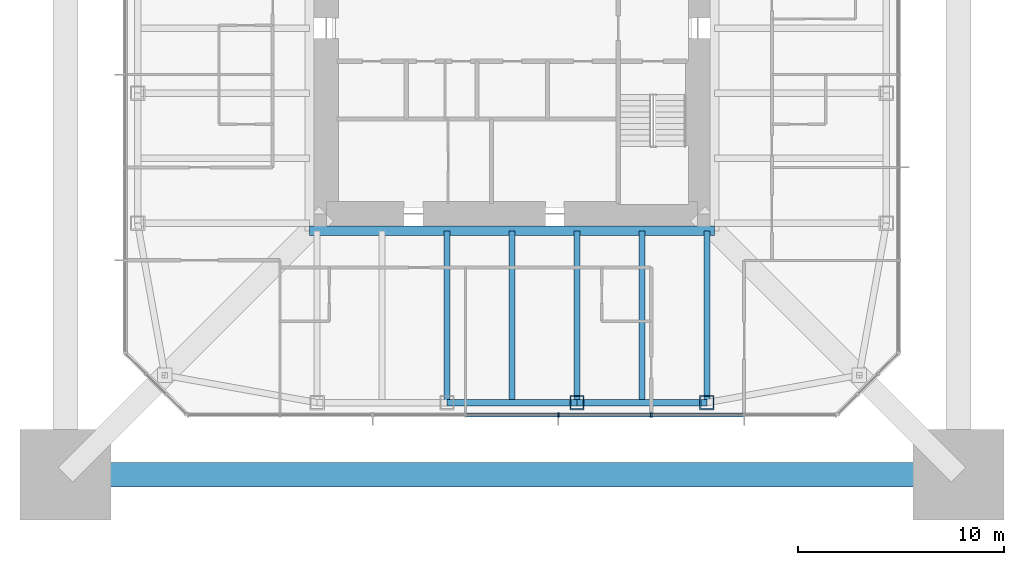
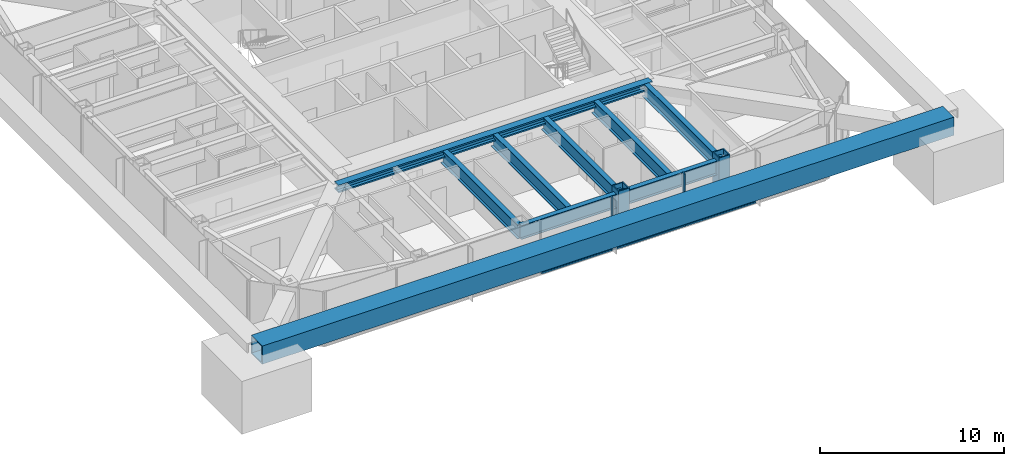
# One storey, part 3 of 15: 8 beams, 8 members, 1 element without a shape of its own.
"""IFC4 building model written with IfcOpenShell, lengths in metres."""

from ifc_helpers import new_model, si_unit, direction, frame, origin, origin_2d, place, context, subcontext, project, spatial, rectangle, hollow_rectangle, i_section, extrude, material, material_profile, profile_set, type_object, element, aggregate, save


model = new_model("IFC4")

# Units and contexts
model_context = context("Model", 3, precision=1e-05, world=origin(), true_north=direction((0.0, 1.0)))
body_context = subcontext(model_context, "Body", "Model", "MODEL_VIEW")
ifc_project = project(units=[si_unit("LENGTHUNIT", "METRE"), si_unit("AREAUNIT", "SQUARE_METRE"), si_unit("VOLUMEUNIT", "CUBIC_METRE"), si_unit("PLANEANGLEUNIT", "RADIAN"), si_unit("MASSUNIT", "GRAM", prefix="KILO")], contexts=[model_context])

# Site, building, storey
site_placement = place(None, origin())
site = spatial("IfcSite", under=ifc_project, at=site_placement, CompositionType="ELEMENT")
building_placement = place(site_placement, origin())
building = spatial("IfcBuilding", under=site, at=building_placement, Name="Iwan Alto Co-Living Towers", CompositionType="ELEMENT")
storey_placement = place(building_placement, frame((0.0, 0.0, 205.5)))
storey = spatial("IfcBuildingStorey", under=building, at=storey_placement, Name="L56", CompositionType="ELEMENT", Elevation=205.5)

# Curtain wall, members
ifc_material_1 = material(Name="Bronze aluminium unitised frame", Category="aluminium")
curtain_wall_type = type_object("IfcCurtainWallType", Name="CURTAIN WALL CW-A", PredefinedType="NOTDEFINED", material=ifc_material_1)
curtain_wall_placement = place(storey_placement, origin())
curtain_wall = element("IfcCurtainWall", 1, at=curtain_wall_placement, inside=storey, type_object=curtain_wall_type, Name="T1 curtain wall S L56", PredefinedType="NOTDEFINED")
ifc_material_2 = material(Name="Aluminium 6063-T6 bronze anodised", Category="aluminium")
ifc_material_profile_1 = material_profile(ifc_material_2, rectangle(XDim=0.199951171875, YDim=0.080078125, at=origin_2d()), Name="AL 80X200")
ifc_profile_set_1 = profile_set([ifc_material_profile_1], Name="Aluminium 6063-T6 bronze anodised")
member_type_1 = type_object("IfcMemberType", Name="CW-A MULLION 80X200", PredefinedType="MULLION", material=ifc_profile_set_1)
member_1_placement = place(storey_placement, frame((2.25, -18.75, 0.0), z_axis=(0.0, 0.0, 1.0), x_axis=(0.0, 1.0, 0.0)))
member_1 = element("IfcMember", 2, at=member_1_placement, type_object=member_type_1, Name="CW-A mullion 5", PredefinedType="MULLION", context=body_context, shape_type="SweptSolid", body=[
    extrude(rectangle(XDim=0.199951171875, YDim=0.080078125, at=origin_2d()), origin(), (0.0, 0.0, 1.0), 3.5),
])
member_2_placement = place(storey_placement, frame((6.75, -18.75, 0.0), z_axis=(0.0, 0.0, 1.0), x_axis=(0.0, 1.0, 0.0)))
member_2 = element("IfcMember", 3, at=member_2_placement, type_object=member_type_1, Name="CW-A mullion 6", PredefinedType="MULLION", context=body_context, shape_type="SweptSolid", body=[
    extrude(rectangle(XDim=0.199951171875, YDim=0.080078125, at=origin_2d()), origin(), (0.0, 0.0, 1.0), 3.5),
])
ifc_material_3 = material(Name="Aluminium 6063-T6 bronze anodised", Category="aluminium")
ifc_material_profile_2 = material_profile(ifc_material_3, rectangle(XDim=0.199951171875, YDim=0.10009765625, at=origin_2d()), Name="AL 200X100")
ifc_profile_set_2 = profile_set([ifc_material_profile_2], Name="Aluminium 6063-T6 bronze anodised")
member_type_2 = type_object("IfcMemberType", Name="CW-A TRANSOM 200X100", PredefinedType="USERDEFINED", material=ifc_profile_set_2)
member_3_placement = place(storey_placement, frame((-2.2099609375, -18.75, 0.050048828125), z_axis=(1.0, 0.0, 0.0), x_axis=(0.0, 1.0, 0.0)))
member_3 = element("IfcMember", 4, at=member_3_placement, type_object=member_type_2, Name="CW-A transom 4.1", ObjectType="TRANSOM", PredefinedType="USERDEFINED", context=body_context, shape_type="SweptSolid", body=[
    extrude(rectangle(XDim=0.199951171875, YDim=0.10009765625, at=origin_2d()), origin(), (0.0, 0.0, 1.0), 4.419921875),
])
member_4_placement = place(storey_placement, frame((2.2900390625, -18.75, 0.050048828125), z_axis=(1.0, 0.0, 0.0), x_axis=(0.0, 1.0, 0.0)))
member_4 = element("IfcMember", 5, at=member_4_placement, type_object=member_type_2, Name="CW-A transom 5.1", ObjectType="TRANSOM", PredefinedType="USERDEFINED", context=body_context, shape_type="SweptSolid", body=[
    extrude(rectangle(XDim=0.199951171875, YDim=0.10009765625, at=origin_2d()), origin(), (0.0, 0.0, 1.0), 4.419921875),
])
member_5_placement = place(storey_placement, frame((6.7900390625, -18.75, 0.050048828125), z_axis=(1.0, 0.0, 0.0), x_axis=(0.0, 1.0, 0.0)))
member_5 = element("IfcMember", 6, at=member_5_placement, type_object=member_type_2, Name="CW-A transom 6.1", ObjectType="TRANSOM", PredefinedType="USERDEFINED", context=body_context, shape_type="SweptSolid", body=[
    extrude(rectangle(XDim=0.199951171875, YDim=0.10009765625, at=origin_2d()), origin(), (0.0, 0.0, 1.0), 4.419921875),
])
aggregate(curtain_wall, [member_1, member_2, member_3, member_4, member_5])

# Beams
ifc_material_4 = material(Name="Steel ASTM A992 Gr 50", Category="steel")
ifc_material_profile_3 = material_profile(ifc_material_4, i_section(OverallWidth=0.307373046875, OverallDepth=0.927001953125, WebThickness=0.01953125, FlangeThickness=0.031982421875, at=origin_2d()), Name="W36X194")
ifc_profile_set_3 = profile_set([ifc_material_profile_3], Name="Steel ASTM A992 Gr 50")
beam_type_1 = type_object("IfcBeamType", Name="T1 BELT TRUSS CHORD W36X194", PredefinedType="BEAM", material=ifc_profile_set_3)
beam_1_placement = place(storey_placement, frame((-3.14990234375, -18.14990234375, 2.736328125), z_axis=(1.0, 0.0, 0.0), x_axis=(0.0, 1.0, 0.0)))
element("IfcBeam", 7, at=beam_1_placement, inside=storey, type_object=beam_type_1, Name="T1 edge beam S2 L57", PredefinedType="BEAM", context=body_context, shape_type="SweptSolid", body=[
    extrude(i_section(OverallWidth=0.307373046875, OverallDepth=0.927001953125, WebThickness=0.01953125, FlangeThickness=0.031982421875, at=origin_2d()), origin(), (0.0, 0.0, 1.0), 6.2998046875),
])
beam_2_placement = place(storey_placement, frame((3.14990234375, -18.14990234375, 2.736328125), z_axis=(1.0, 0.0, 0.0), x_axis=(0.0, 1.0, 0.0)))
element("IfcBeam", 8, at=beam_2_placement, inside=storey, type_object=beam_type_1, Name="T1 edge beam S3 L57", PredefinedType="BEAM", context=body_context, shape_type="SweptSolid", body=[
    extrude(i_section(OverallWidth=0.307373046875, OverallDepth=0.927001953125, WebThickness=0.01953125, FlangeThickness=0.031982421875, at=origin_2d()), origin(), (0.0, 0.0, 1.0), 6.300048828125),
])
ifc_material_5 = material(Name="Steel ASTM A992 Gr 50", Category="steel")
ifc_material_profile_4 = material_profile(ifc_material_5, i_section(OverallWidth=0.436767578125, OverallDepth=0.51318359375, WebThickness=0.060546875, FlangeThickness=0.096923828125, at=origin_2d()), Name="W14X550")
ifc_profile_set_4 = profile_set([ifc_material_profile_4], Name="Steel ASTM A992 Gr 50")
beam_type_2 = type_object("IfcBeamType", Name="T1 CORE LEDGER BEAM W14X550", PredefinedType="BEAM", material=ifc_profile_set_4)
beam_3_placement = place(storey_placement, frame((-9.818359375, -9.818359375, 2.943359375), z_axis=(1.0, 0.0, 0.0), x_axis=(0.0, 1.0, 0.0)))
element("IfcBeam", 9, at=beam_3_placement, inside=storey, type_object=beam_type_2, Name="T1 core ledger beam S L57", PredefinedType="BEAM", context=body_context, shape_type="SweptSolid", body=[
    extrude(i_section(OverallWidth=0.436767578125, OverallDepth=0.51318359375, WebThickness=0.060546875, FlangeThickness=0.096923828125, at=origin_2d()), origin(), (0.0, 0.0, 1.0), 19.63671875),
])

# Member
ifc_material_6 = material(Name="Steel ASTM A572 Gr 50", Category="steel")
ifc_material_profile_5 = material_profile(ifc_material_6, hollow_rectangle(XDim=1.199951171875, YDim=1.199951171875, WallThickness=0.070068359375, at=origin_2d()), Name="BOX 1200X1200X70")
ifc_profile_set_5 = profile_set([ifc_material_profile_5], Name="Steel ASTM A572 Gr 50")
member_type_3 = type_object("IfcMemberType", Name="T1 MEGA BELT TIE BOX 1200X1200X70", PredefinedType="STRUT", material=ifc_profile_set_5)
member_6_placement = place(storey_placement, frame((-21.64990234375, -21.64990234375, 3.5), z_axis=(1.0, 0.0, 0.0), x_axis=(0.0, 1.0, 0.0)))
element("IfcMember", 10, at=member_6_placement, inside=storey, type_object=member_type_3, Name="T1 mega belt tie S L57", PredefinedType="STRUT", context=body_context, shape_type="SweptSolid", body=[
    extrude(hollow_rectangle(XDim=1.199951171875, YDim=1.199951171875, WallThickness=0.070068359375, at=origin_2d()), origin(), (0.0, 0.0, 1.0), 43.2998046875),
])

# Beams
ifc_material_7 = material(Name="Steel ASTM A992 Gr 50", Category="steel")
ifc_material_profile_6 = material_profile(ifc_material_7, i_section(OverallWidth=0.307373046875, OverallDepth=0.927001953125, WebThickness=0.01953125, FlangeThickness=0.031982421875, at=origin_2d()), Name="W36X194")
ifc_profile_set_6 = profile_set([ifc_material_profile_6], Name="Steel ASTM A992 Gr 50")
beam_type_3 = type_object("IfcBeamType", Name="T1 RADIAL BEAM W36X194", PredefinedType="BEAM", material=ifc_profile_set_6)
for number, where, z_axis, x_axis, name in (
    (11, (-3.14990234375, -18.14990234375, 2.736328125), (0.0, 1.0, 0.0), (-1.0, 0.0, 0.0), "T1 radial beam S2 L57"),
    (12, (3.14990234375, -18.14990234375, 2.736328125), (0.0, 1.0, 0.0), (-1.0, 0.0, 0.0), "T1 radial beam S3 L57"),
    (13, (9.449951171875, -18.14990234375, 2.736328125), (0.0, 1.0, 0.0), (-1.0, 0.0, 0.0), "T1 radial beam S4 L57"),
):
    element("IfcBeam", number, at=place(storey_placement, frame(where, z_axis=z_axis, x_axis=x_axis)), inside=storey, type_object=beam_type_3, Name=name, PredefinedType="BEAM", context=body_context, shape_type="SweptSolid", body=[
        extrude(i_section(OverallWidth=0.307373046875, OverallDepth=0.927001953125, WebThickness=0.01953125, FlangeThickness=0.031982421875, at=origin_2d()), origin(), (0.0, 0.0, 1.0), 8.33154296875),
    ])

# Members
ifc_material_8 = material(Name="Steel ASTM A572 Gr 50", Category="steel")
ifc_material_profile_7 = material_profile(ifc_material_8, hollow_rectangle(XDim=0.699951171875, YDim=0.699951171875, WallThickness=0.06005859375, at=origin_2d()), Name="BOX 700X700X60")
ifc_profile_set_7 = profile_set([ifc_material_profile_7], Name="Steel ASTM A572 Gr 50")
member_type_4 = type_object("IfcMemberType", Name="T1 RING POST AT STEP BOX 700X700X60", PredefinedType="MEMBER", material=ifc_profile_set_7)
for number, where, z_axis, x_axis, name in (
    (14, (3.14990234375, -18.14990234375, 0.0), (0.0, 0.0, 1.0), (1.0, 0.0, 0.0), "T1 ring post at step S3 L56"),
    (15, (9.449951171875, -18.14990234375, 0.0), (0.0, 0.0, 1.0), (1.0, 0.0, 0.0), "T1 ring post at step S4 L56"),
):
    element("IfcMember", number, at=place(storey_placement, frame(where, z_axis=z_axis, x_axis=x_axis)), inside=storey, type_object=member_type_4, Name=name, PredefinedType="MEMBER", context=body_context, shape_type="SweptSolid", body=[
        extrude(hollow_rectangle(XDim=0.699951171875, YDim=0.699951171875, WallThickness=0.06005859375, at=origin_2d()), origin(), (0.0, 0.0, 1.0), 3.5),
    ])

# Beams
ifc_material_9 = material(Name="Steel ASTM A992 Gr 50", Category="steel")
ifc_material_profile_8 = material_profile(ifc_material_9, i_section(OverallWidth=0.307373046875, OverallDepth=0.927001953125, WebThickness=0.01953125, FlangeThickness=0.031982421875, at=origin_2d()), Name="W36X194")
ifc_profile_set_8 = profile_set([ifc_material_profile_8], Name="Steel ASTM A992 Gr 50")
beam_type_4 = type_object("IfcBeamType", Name="T1 SECONDARY BEAM W36X194", PredefinedType="JOIST", material=ifc_profile_set_8)
for number, where, z_axis, x_axis, name in (
    (16, (0.0, -18.14990234375, 2.736328125), (0.0, 1.0, 0.0), (-1.0, 0.0, 0.0), "T1 secondary beam S2 L57"),
    (17, (6.300048828125, -18.14990234375, 2.736328125), (0.0, 1.0, 0.0), (-1.0, 0.0, 0.0), "T1 secondary beam S3 L57"),
):
    element("IfcBeam", number, at=place(storey_placement, frame(where, z_axis=z_axis, x_axis=x_axis)), inside=storey, type_object=beam_type_4, Name=name, PredefinedType="JOIST", context=body_context, shape_type="SweptSolid", body=[
        extrude(i_section(OverallWidth=0.307373046875, OverallDepth=0.927001953125, WebThickness=0.01953125, FlangeThickness=0.031982421875, at=origin_2d()), origin(), (0.0, 0.0, 1.0), 8.33154296875),
    ])

save(model, "model.ifc")
